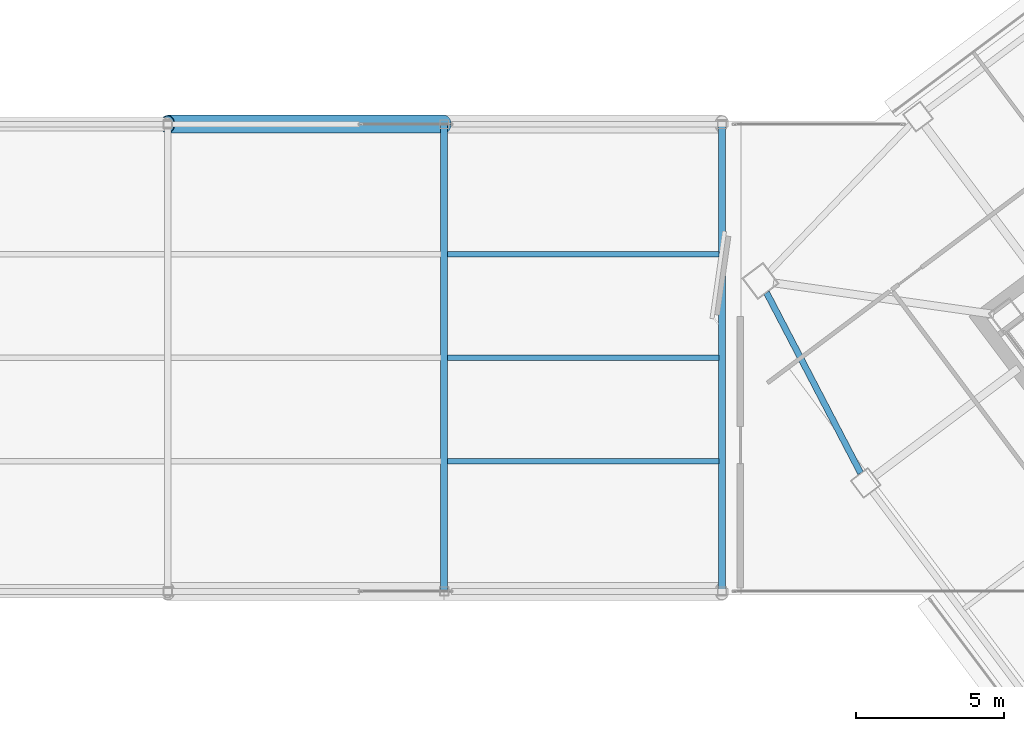
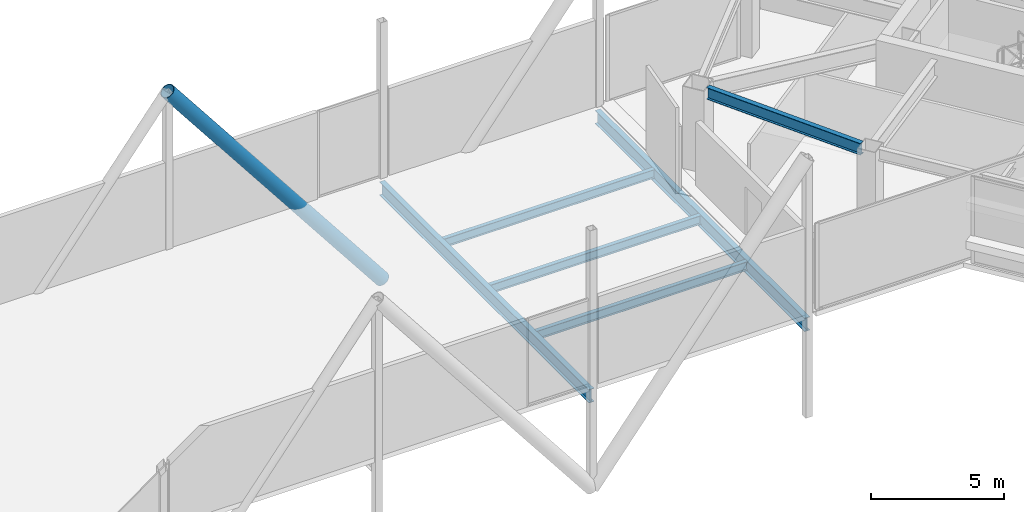
# One storey, part 26 of 53: 6 beams, 1 member.
"""IFC4 building model written with IfcOpenShell, lengths in metres."""

from ifc_helpers import new_model, si_unit, direction, frame, origin, origin_2d, place, context, subcontext, project, spatial, hollow_circle, i_section, extrude, material, material_profile, profile_set, type_object, element, save


model = new_model("IFC4")

# Units and contexts
model_context = context("Model", 3, precision=1e-05, world=origin(), true_north=direction((0.0, 1.0)))
body_context = subcontext(model_context, "Body", "Model", "MODEL_VIEW")
ifc_project = project(units=[si_unit("LENGTHUNIT", "METRE"), si_unit("AREAUNIT", "SQUARE_METRE"), si_unit("VOLUMEUNIT", "CUBIC_METRE"), si_unit("PLANEANGLEUNIT", "RADIAN"), si_unit("MASSUNIT", "GRAM", prefix="KILO")], contexts=[model_context])

# Site, building, storey
site_placement = place(None, origin())
site = spatial("IfcSite", under=ifc_project, at=site_placement, CompositionType="ELEMENT")
building_placement = place(site_placement, origin())
building = spatial("IfcBuilding", under=site, at=building_placement, Name="Tashvorn Skyway Center", CompositionType="ELEMENT")
storey_placement = place(building_placement, frame((0.0, 0.0, 255.39990234375)))
storey = spatial("IfcBuildingStorey", under=building, at=storey_placement, Name="L69", CompositionType="ELEMENT", Elevation=255.39990234375)

# Beams
ifc_material_1 = material(Name="Steel ASTM A992 Grade 50", Category="steel")
ifc_material_profile_1 = material_profile(ifc_material_1, i_section(OverallWidth=0.22998046875, OverallDepth=0.616943359375, WebThickness=0.01318359375, FlangeThickness=0.022216796875, at=origin_2d()), Name="W24X94")
ifc_profile_set_1 = profile_set([ifc_material_profile_1], Name="Steel ASTM A992 Grade 50")
beam_type_1 = type_object("IfcBeamType", Name="BM-BEAM-W24X94", PredefinedType="BEAM", material=ifc_profile_set_1)
for number, where, z_axis, x_axis, name in (
    (1, (85.10009765625, 24.10009765625, -0.5283203125), (0.0, 1.0, 0.0), (-1.0, 0.0, 0.0), "Sky-Park L69 Transverse Floor Beam 09"),
    (2, (94.5, 24.10009765625, -0.5283203125), (0.0, 1.0, 0.0), (-1.0, 0.0, 0.0), "Sky-Park L69 Transverse Floor Beam 10"),
):
    element("IfcBeam", number, at=place(storey_placement, frame(where, z_axis=z_axis, x_axis=x_axis)), inside=storey, type_object=beam_type_1, Name=name, PredefinedType="BEAM", context=body_context, shape_type="SweptSolid", body=[
        extrude(i_section(OverallWidth=0.22998046875, OverallDepth=0.616943359375, WebThickness=0.01318359375, FlangeThickness=0.022216796875, at=origin_2d()), origin(), (0.0, 0.0, 1.0), 15.7998046875),
    ])
ifc_material_profile_2 = material_profile(ifc_material_1, i_section(OverallWidth=0.177978515625, OverallDepth=0.406005859375, WebThickness=0.0078125, FlangeThickness=0.0126953125, at=origin_2d()), Name="W16X40")
ifc_profile_set_2 = profile_set([ifc_material_profile_2], Name="Steel ASTM A992 Grade 50")
beam_type_2 = type_object("IfcBeamType", Name="BM-JOIST-W16X40", PredefinedType="JOIST", material=ifc_profile_set_2)
for number, where, z_axis, x_axis, name in (
    (3, (85.20703125, 28.5, -0.4228515625), (1.0, 0.0, 0.0), (0.0, 1.0, 0.0), "Sky-Park L69 Longitudinal Joist 09-1"),
    (4, (85.20703125, 32.0, -0.4228515625), (1.0, 0.0, 0.0), (0.0, 1.0, 0.0), "Sky-Park L69 Longitudinal Joist 09-2"),
    (5, (85.20703125, 35.5, -0.4228515625), (1.0, 0.0, 0.0), (0.0, 1.0, 0.0), "Sky-Park L69 Longitudinal Joist 09-3"),
):
    element("IfcBeam", number, at=place(storey_placement, frame(where, z_axis=z_axis, x_axis=x_axis)), inside=storey, type_object=beam_type_2, Name=name, PredefinedType="JOIST", context=body_context, shape_type="SweptSolid", body=[
        extrude(i_section(OverallWidth=0.177978515625, OverallDepth=0.406005859375, WebThickness=0.0078125, FlangeThickness=0.0126953125, at=origin_2d()), origin(), (0.0, 0.0, 1.0), 9.18603515625),
    ])
ifc_material_profile_3 = material_profile(ifc_material_1, i_section(OverallWidth=0.2109375, OverallDepth=0.5390625, WebThickness=0.01171875, FlangeThickness=0.018798828125, at=origin_2d()), Name="W21X73")
ifc_profile_set_3 = profile_set([ifc_material_profile_3], Name="Steel ASTM A992 Grade 50")
beam_type_3 = type_object("IfcBeamType", Name="BM-SPANDREL-W21X73", PredefinedType="SPANDREL", material=ifc_profile_set_3)
beam_placement = place(storey_placement, frame((96.005615234375, 34.205322265625, 3.510498046875), z_axis=(0.462223120187, -0.886763659136, 0.0), x_axis=(0.886763659136, 0.462223120187, 0.0)))
element("IfcBeam", 6, at=beam_placement, inside=storey, type_object=beam_type_3, Name="Tower 2 L69 Spandrel Beam 10", PredefinedType="SPANDREL", context=body_context, shape_type="SweptSolid", body=[
    extrude(i_section(OverallWidth=0.2109375, OverallDepth=0.5390625, WebThickness=0.01171875, FlangeThickness=0.018798828125, at=origin_2d()), origin(), (0.0, 0.0, 1.0), 6.886962890625),
])

# Member
ifc_material_2 = material(Name="Steel ASTM A572 Grade 50", Category="steel")
ifc_material_profile_4 = material_profile(ifc_material_2, hollow_circle(Radius=0.304931640625, WallThickness=0.02490234375, at=origin_2d()), Name="CHS610x25")
ifc_profile_set_4 = profile_set([ifc_material_profile_4], Name="Steel ASTM A572 Grade 50")
member_type = type_object("IfcMemberType", Name="MEM-SP-DIA-610", PredefinedType="BRACE", material=ifc_profile_set_4)
member_placement = place(storey_placement, frame((75.75, 39.89990234375, 7.194580078125), z_axis=(0.617186496438, 0.0, -0.786816896498), x_axis=(0.0, 1.0, 0.0)))
element("IfcMember", 7, at=member_placement, inside=storey, type_object=member_type, Name="Sky-Park Truss 2 Web Diagonal 08", PredefinedType="BRACE", context=body_context, shape_type="SweptSolid", body=[
    extrude(hollow_circle(Radius=0.304931640625, WallThickness=0.02490234375, at=origin_2d()), origin(), (0.0, 0.0, 1.0), 15.149658203125),
])

save(model, "model.ifc")
